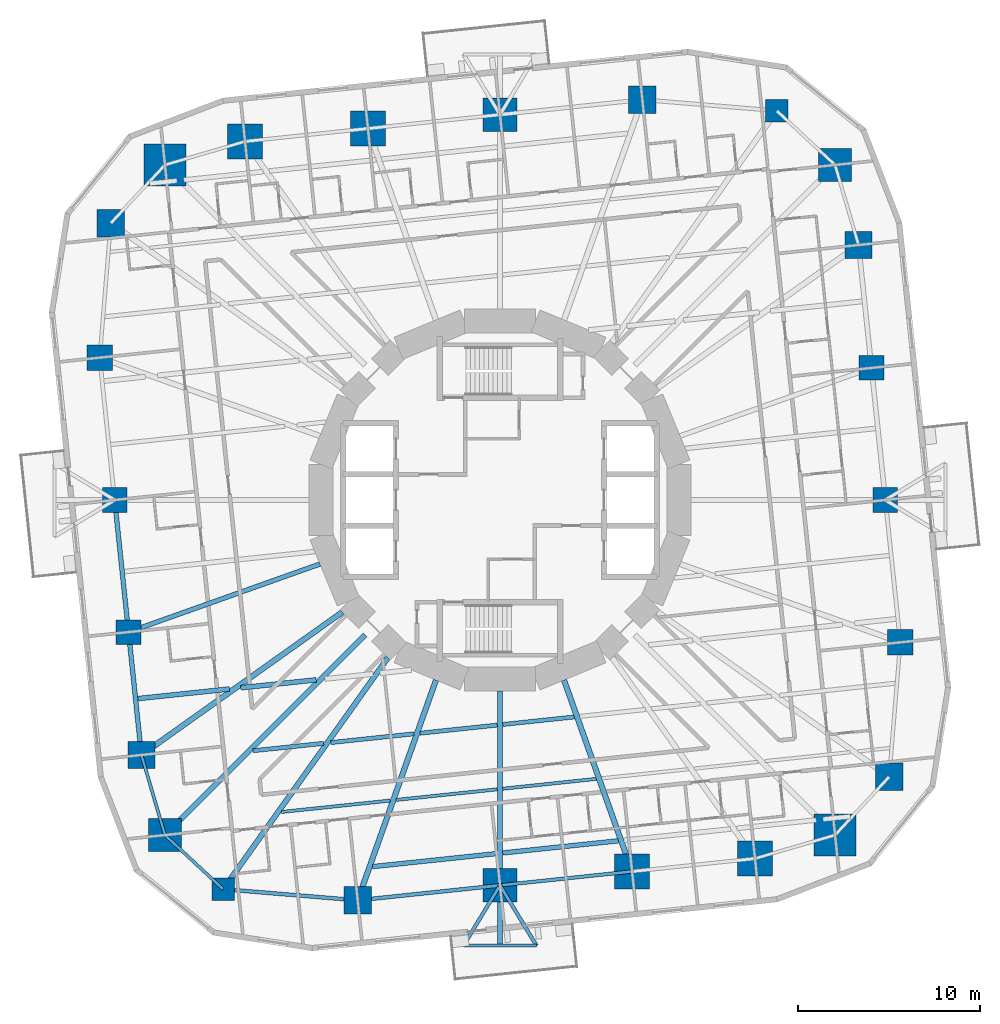
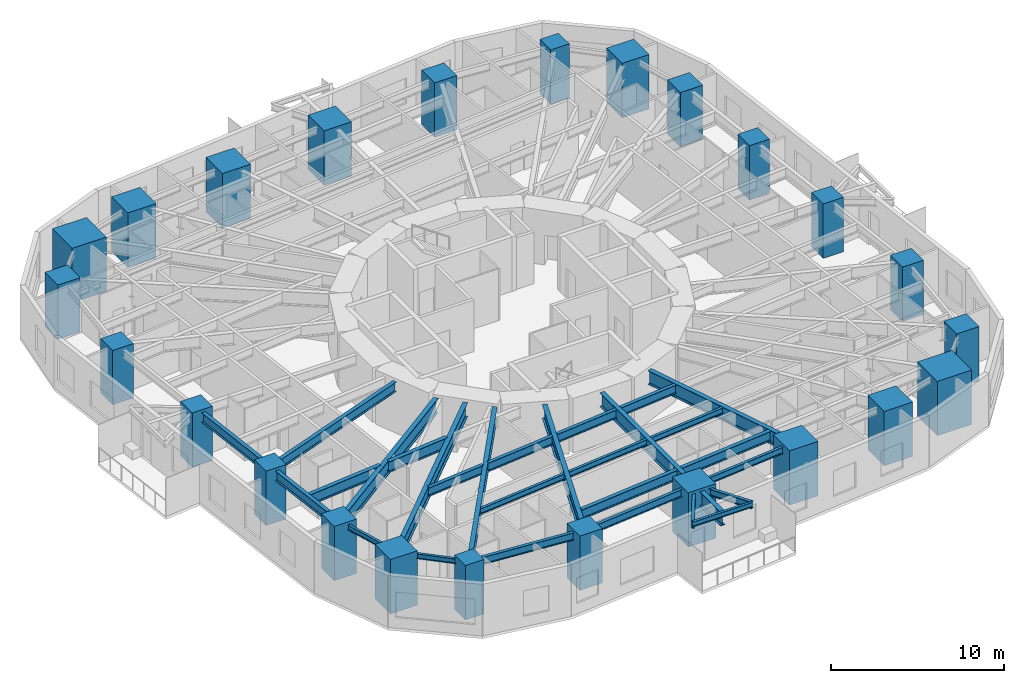
# One storey, part 1 of 13: 28 beams, 24 columns.
"""IFC4 building model written with IfcOpenShell, lengths in metres."""

from ifc_helpers import new_model, si_unit, direction, frame, origin, origin_2d, place, context, subcontext, project, spatial, rectangle, i_section, extrude, material, material_profile, profile_set, type_object, element, save


model = new_model("IFC4")

# Units and contexts
model_context = context("Model", 3, precision=1e-05, world=origin(), true_north=direction((0.0, 1.0)))
body_context = subcontext(model_context, "Body", "Model", "MODEL_VIEW")
ifc_project = project(units=[si_unit("LENGTHUNIT", "METRE"), si_unit("AREAUNIT", "SQUARE_METRE"), si_unit("VOLUMEUNIT", "CUBIC_METRE"), si_unit("PLANEANGLEUNIT", "RADIAN"), si_unit("MASSUNIT", "GRAM", prefix="KILO")], contexts=[model_context])

# Site, building, storey
site_placement = place(None, origin())
site = spatial("IfcSite", under=ifc_project, at=site_placement, CompositionType="ELEMENT")
building_placement = place(site_placement, origin())
building = spatial("IfcBuilding", under=site, at=building_placement, Name="Nakasero Lantern House", CompositionType="ELEMENT")
storey_placement = place(building_placement, frame((0.0, 0.0, 75.89990234375)))
storey = spatial("IfcBuildingStorey", under=building, at=storey_placement, Name="L18", CompositionType="ELEMENT", Elevation=75.89990234375)

# Columns
ifc_material_1 = material(Name="Concrete C50/60", Category="concrete")
ifc_material_profile_1 = material_profile(ifc_material_1, rectangle(XDim=1.800048828125, YDim=1.800048828125, at=origin_2d()), Name="RC 1800x1800")
ifc_profile_set_1 = profile_set([ifc_material_profile_1], Name="Concrete C50/60")
column_type_1 = type_object("IfcColumnType", Name="Mega column RC 1800x1800 C50/60", PredefinedType="COLUMN", material=ifc_profile_set_1)
for number, where, z_axis, x_axis, name in (
    (1, (18.359375, 18.359375, 0.0), (0.0, 0.0, 1.0), (1.0, 0.0, 0.0), "Column B2-C06 L18"),
    (2, (-18.359375, -18.359375, 0.0), (0.0, 0.0, 1.0), (1.0, 0.0, 0.0), "Column B2-C18 L18"),
):
    element("IfcColumn", number, at=place(storey_placement, frame(where, z_axis=z_axis, x_axis=x_axis)), inside=storey, type_object=column_type_1, Name=name, PredefinedType="COLUMN", context=body_context, shape_type="SweptSolid", body=[
        extrude(rectangle(XDim=1.800048828125, YDim=1.800048828125, at=origin_2d()), origin(), (0.0, 0.0, 1.0), 3.85009765625),
    ])
ifc_material_2 = material(Name="Concrete C50/60", Category="concrete")
ifc_material_profile_2 = material_profile(ifc_material_2, rectangle(XDim=2.300048828125, YDim=2.300048828125, at=origin_2d()), Name="RC 2300x2300")
ifc_profile_set_2 = profile_set([ifc_material_profile_2], Name="Concrete C50/60")
column_type_2 = type_object("IfcColumnType", Name="Mega column RC 2300x2300 C50/60", PredefinedType="COLUMN", material=ifc_profile_set_2)
for number, where, z_axis, x_axis, name in (
    (3, (-18.359375, 18.359375, 0.0), (0.0, 0.0, 1.0), (1.0, 0.0, 0.0), "Column B2-C12 L18"),
    (4, (18.359375, -18.359375, 0.0), (0.0, 0.0, 1.0), (1.0, 0.0, 0.0), "Column B2-C24 L18"),
):
    element("IfcColumn", number, at=place(storey_placement, frame(where, z_axis=z_axis, x_axis=x_axis)), inside=storey, type_object=column_type_2, Name=name, PredefinedType="COLUMN", context=body_context, shape_type="SweptSolid", body=[
        extrude(rectangle(XDim=2.300048828125, YDim=2.300048828125, at=origin_2d()), origin(), (0.0, 0.0, 1.0), 3.85009765625),
    ])
ifc_material_3 = material(Name="Concrete C50/60", Category="concrete")
ifc_material_profile_3 = material_profile(ifc_material_3, rectangle(XDim=1.25, YDim=1.25, at=origin_2d()), Name="RC 1250x1250")
ifc_profile_set_3 = profile_set([ifc_material_profile_3], Name="Concrete C50/60")
column_type_3 = type_object("IfcColumnType", Name="Ring column RC 1250x1250 C50/60", PredefinedType="COLUMN", material=ifc_profile_set_3)
for number, where, z_axis, x_axis, name in (
    (5, (15.16650390625, 21.327880859375, 0.0), (0.0, 0.0, 1.0), (1.0, 0.0, 0.0), "Column B2-C07 L18"),
    (6, (-15.16650390625, -21.327880859375, 0.0), (0.0, 0.0, 1.0), (1.0, 0.0, 0.0), "Column B2-C19 L18"),
):
    element("IfcColumn", number, at=place(storey_placement, frame(where, z_axis=z_axis, x_axis=x_axis)), inside=storey, type_object=column_type_3, Name=name, PredefinedType="COLUMN", context=body_context, shape_type="SweptSolid", body=[
        extrude(rectangle(XDim=1.25, YDim=1.25, at=origin_2d()), origin(), (0.0, 0.0, 1.0), 3.85009765625),
    ])
ifc_material_4 = material(Name="Concrete C50/60", Category="concrete")
ifc_material_profile_4 = material_profile(ifc_material_4, rectangle(XDim=1.35009765625, YDim=1.35009765625, at=origin_2d()), Name="RC 1350x1350")
ifc_profile_set_4 = profile_set([ifc_material_profile_4], Name="Concrete C50/60")
column_type_4 = type_object("IfcColumnType", Name="Ring column RC 1350x1350 C50/60", PredefinedType="COLUMN", material=ifc_profile_set_4)
for number, where, z_axis, x_axis, name in (
    (7, (21.11572265625, 0.0, 0.0), (0.0, 0.0, 1.0), (1.0, 0.0, 0.0), "Column B2-C03 L18"),
    (8, (20.35498046875, 7.2373046875, 0.0), (0.0, 0.0, 1.0), (1.0, 0.0, 0.0), "Column B2-C04 L18"),
    (9, (-21.11572265625, 0.0, 0.0), (0.0, 0.0, 1.0), (1.0, 0.0, 0.0), "Column B2-C15 L18"),
    (10, (-20.35498046875, -7.2373046875, 0.0), (0.0, 0.0, 1.0), (1.0, 0.0, 0.0), "Column B2-C16 L18"),
):
    element("IfcColumn", number, at=place(storey_placement, frame(where, z_axis=z_axis, x_axis=x_axis)), inside=storey, type_object=column_type_4, Name=name, PredefinedType="COLUMN", context=body_context, shape_type="SweptSolid", body=[
        extrude(rectangle(XDim=1.35009765625, YDim=1.35009765625, at=origin_2d()), origin(), (0.0, 0.0, 1.0), 3.85009765625),
    ])
ifc_material_5 = material(Name="Concrete C50/60", Category="concrete")
ifc_material_profile_5 = material_profile(ifc_material_5, rectangle(XDim=1.39990234375, YDim=1.39990234375, at=origin_2d()), Name="RC 1400x1400")
ifc_profile_set_5 = profile_set([ifc_material_profile_5], Name="Concrete C50/60")
column_type_5 = type_object("IfcColumnType", Name="Ring column RC 1400x1400 C50/60", PredefinedType="COLUMN", material=ifc_profile_set_5)
for number, where, z_axis, x_axis, name in (
    (11, (21.935302734375, -7.79931640625, 0.0), (0.0, 0.0, 1.0), (1.0, 0.0, 0.0), "Column B2-C02 L18"),
    (12, (-21.935302734375, 7.79931640625, 0.0), (0.0, 0.0, 1.0), (1.0, 0.0, 0.0), "Column B2-C14 L18"),
):
    element("IfcColumn", number, at=place(storey_placement, frame(where, z_axis=z_axis, x_axis=x_axis)), inside=storey, type_object=column_type_5, Name=name, PredefinedType="COLUMN", context=body_context, shape_type="SweptSolid", body=[
        extrude(rectangle(XDim=1.39990234375, YDim=1.39990234375, at=origin_2d()), origin(), (0.0, 0.0, 1.0), 3.85009765625),
    ])
ifc_material_6 = material(Name="Concrete C50/60", Category="concrete")
ifc_material_profile_6 = material_profile(ifc_material_6, rectangle(XDim=1.5, YDim=1.5, at=origin_2d()), Name="RC 1500x1500")
ifc_profile_set_6 = profile_set([ifc_material_profile_6], Name="Concrete C50/60")
column_type_6 = type_object("IfcColumnType", Name="Ring column RC 1500x1500 C50/60", PredefinedType="COLUMN", material=ifc_profile_set_6)
for number, where, z_axis, x_axis, name in (
    (13, (21.327880859375, -15.16650390625, 0.0), (0.0, 0.0, 1.0), (1.0, 0.0, 0.0), "Column B2-C01 L18"),
    (14, (19.647216796875, 13.971435546875, 0.0), (0.0, 0.0, 1.0), (1.0, 0.0, 0.0), "Column B2-C05 L18"),
    (15, (7.79931640625, 21.935302734375, 0.0), (0.0, 0.0, 1.0), (1.0, 0.0, 0.0), "Column B2-C08 L18"),
    (16, (-21.327880859375, 15.16650390625, 0.0), (0.0, 0.0, 1.0), (1.0, 0.0, 0.0), "Column B2-C13 L18"),
    (17, (-19.647216796875, -13.971435546875, 0.0), (0.0, 0.0, 1.0), (1.0, 0.0, 0.0), "Column B2-C17 L18"),
    (18, (-7.79931640625, -21.935302734375, 0.0), (0.0, 0.0, 1.0), (1.0, 0.0, 0.0), "Column B2-C20 L18"),
):
    element("IfcColumn", number, at=place(storey_placement, frame(where, z_axis=z_axis, x_axis=x_axis)), inside=storey, type_object=column_type_6, Name=name, PredefinedType="COLUMN", context=body_context, shape_type="SweptSolid", body=[
        extrude(rectangle(XDim=1.5, YDim=1.5, at=origin_2d()), origin(), (0.0, 0.0, 1.0), 3.85009765625),
    ])
ifc_material_7 = material(Name="Concrete C50/60", Category="concrete")
ifc_material_profile_7 = material_profile(ifc_material_7, rectangle(XDim=1.85009765625, YDim=1.85009765625, at=origin_2d()), Name="RC 1850x1850")
ifc_profile_set_7 = profile_set([ifc_material_profile_7], Name="Concrete C50/60")
column_type_7 = type_object("IfcColumnType", Name="Ring column RC 1850x1850 C50/60", PredefinedType="COLUMN", material=ifc_profile_set_7)
for number, where, z_axis, x_axis, name in (
    (19, (0.0, 21.11572265625, 0.0), (0.0, 0.0, 1.0), (1.0, 0.0, 0.0), "Column B2-C09 L18"),
    (20, (0.0, -21.11572265625, 0.0), (0.0, 0.0, 1.0), (1.0, 0.0, 0.0), "Column B2-C21 L18"),
):
    element("IfcColumn", number, at=place(storey_placement, frame(where, z_axis=z_axis, x_axis=x_axis)), inside=storey, type_object=column_type_7, Name=name, PredefinedType="COLUMN", context=body_context, shape_type="SweptSolid", body=[
        extrude(rectangle(XDim=1.85009765625, YDim=1.85009765625, at=origin_2d()), origin(), (0.0, 0.0, 1.0), 3.85009765625),
    ])
ifc_material_8 = material(Name="Concrete C50/60", Category="concrete")
ifc_material_profile_8 = material_profile(ifc_material_8, rectangle(XDim=1.89990234375, YDim=1.89990234375, at=origin_2d()), Name="RC 1900x1900")
ifc_profile_set_8 = profile_set([ifc_material_profile_8], Name="Concrete C50/60")
column_type_8 = type_object("IfcColumnType", Name="Ring column RC 1900x1900 C50/60", PredefinedType="COLUMN", material=ifc_profile_set_8)
for number, where, z_axis, x_axis, name in (
    (21, (-7.2373046875, 20.35498046875, 0.0), (0.0, 0.0, 1.0), (1.0, 0.0, 0.0), "Column B2-C10 L18"),
    (22, (-13.971435546875, 19.647216796875, 0.0), (0.0, 0.0, 1.0), (1.0, 0.0, 0.0), "Column B2-C11 L18"),
    (23, (7.2373046875, -20.35498046875, 0.0), (0.0, 0.0, 1.0), (1.0, 0.0, 0.0), "Column B2-C22 L18"),
    (24, (13.971435546875, -19.647216796875, 0.0), (0.0, 0.0, 1.0), (1.0, 0.0, 0.0), "Column B2-C23 L18"),
):
    element("IfcColumn", number, at=place(storey_placement, frame(where, z_axis=z_axis, x_axis=x_axis)), inside=storey, type_object=column_type_8, Name=name, PredefinedType="COLUMN", context=body_context, shape_type="SweptSolid", body=[
        extrude(rectangle(XDim=1.89990234375, YDim=1.89990234375, at=origin_2d()), origin(), (0.0, 0.0, 1.0), 3.85009765625),
    ])

# Beams
ifc_material_9 = material(Name="Steel S355", Category="steel")
ifc_material_profile_9 = material_profile(ifc_material_9, i_section(OverallWidth=0.199462890625, OverallDepth=0.491943359375, WebThickness=0.01806640625, FlangeThickness=0.031982421875, FilletRadius=0.01025390625, at=origin_2d()), Name="UB 457x191x161")
ifc_profile_set_9 = profile_set([ifc_material_profile_9], Name="Steel S355")
beam_type_1 = type_object("IfcBeamType", Name="Balcony splay beam UB 457x191x161", PredefinedType="BEAM", material=ifc_profile_set_9)
for number, where, z_axis, x_axis, name in (
    (25, (0.0, -21.11572265625, 3.404052734375), (0.518296107317, -0.855201230787, 0.0), (0.855201230787, 0.518296107317, 0.0), "Balcony splay beam L19 B2-C21A"),
    (26, (0.0, -21.11572265625, 3.404052734375), (-0.518296107317, -0.855201230787, 0.0), (0.855201230787, -0.518296107317, 0.0), "Balcony splay beam L19 B2-C21B"),
):
    element("IfcBeam", number, at=place(storey_placement, frame(where, z_axis=z_axis, x_axis=x_axis)), inside=storey, type_object=beam_type_1, Name=name, PredefinedType="BEAM", context=body_context, shape_type="SweptSolid", body=[
        extrude(i_section(OverallWidth=0.199462890625, OverallDepth=0.491943359375, WebThickness=0.01806640625, FlangeThickness=0.031982421875, FilletRadius=0.01025390625, at=origin_2d()), origin(), (0.0, 0.0, 1.0), 3.85888671875),
    ])
ifc_material_10 = material(Name="Steel S355", Category="steel")
ifc_material_profile_10 = material_profile(ifc_material_10, i_section(OverallWidth=0.17138671875, OverallDepth=0.35498046875, WebThickness=0.00732421875, FlangeThickness=0.011474609375, FilletRadius=0.01025390625, at=origin_2d()), Name="UB 356x171x51")
ifc_profile_set_10 = profile_set([ifc_material_profile_10], Name="Steel S355")
beam_type_2 = type_object("IfcBeamType", Name="Balcony tie beam UB 356x171x51", PredefinedType="BEAM", material=ifc_profile_set_10)
beam_1_placement = place(storey_placement, frame((2.0, -24.415771484375, 3.47265625), z_axis=(-1.0, 0.0, 0.0), x_axis=(0.0, -1.0, 0.0)))
element("IfcBeam", 27, at=beam_1_placement, inside=storey, type_object=beam_type_2, Name="Balcony tie beam L19 B2-C21", PredefinedType="BEAM", context=body_context, shape_type="SweptSolid", body=[
    extrude(i_section(OverallWidth=0.17138671875, OverallDepth=0.35498046875, WebThickness=0.00732421875, FlangeThickness=0.011474609375, FilletRadius=0.01025390625, at=origin_2d()), origin(), (0.0, 0.0, 1.0), 4.0),
])
ifc_material_11 = material(Name="Steel S355", Category="steel")
ifc_material_profile_11 = material_profile(ifc_material_11, i_section(OverallWidth=0.177978515625, OverallDepth=0.406494140625, WebThickness=0.0078125, FlangeThickness=0.0126953125, FilletRadius=0.01025390625, at=origin_2d()), Name="UB 406x178x60")
ifc_profile_set_11 = profile_set([ifc_material_profile_11], Name="Steel S355")
beam_type_3 = type_object("IfcBeamType", Name="Infill beam UB 406x178x60", PredefinedType="JOIST", material=ifc_profile_set_11)
beam_2_placement = place(storey_placement, frame((-11.9775390625, -17.095703125, 3.44677734375), z_axis=(0.994521729164, 0.104530044579, 0.0), x_axis=(-0.104530044579, 0.994521729164, 0.0)))
element("IfcBeam", 28, at=beam_2_placement, inside=storey, type_object=beam_type_3, Name="Infill beam L19 03.1", PredefinedType="JOIST", context=body_context, shape_type="SweptSolid", body=[
    extrude(i_section(OverallWidth=0.177978515625, OverallDepth=0.406494140625, WebThickness=0.0078125, FlangeThickness=0.0126953125, FilletRadius=0.01025390625, at=origin_2d()), origin(), (0.0, 0.0, 1.0), 5.99560546875),
])
beam_3_placement = place(storey_placement, frame((-5.68408203125, -16.43408203125, 3.44677734375), z_axis=(0.994524188375, 0.104506644464, 0.0), x_axis=(-0.104506644464, 0.994524188375, 0.0)))
element("IfcBeam", 29, at=beam_3_placement, inside=storey, type_object=beam_type_3, Name="Infill beam L19 03.2", PredefinedType="JOIST", context=body_context, shape_type="SweptSolid", body=[
    extrude(i_section(OverallWidth=0.177978515625, OverallDepth=0.406494140625, WebThickness=0.0078125, FlangeThickness=0.0126953125, FilletRadius=0.01025390625, at=origin_2d()), origin(), (0.0, 0.0, 1.0), 5.564697265625),
])
beam_4_placement = place(storey_placement, frame((0.14990234375, -15.821044921875, 3.44677734375), z_axis=(0.994522574566, 0.104522000929, 0.0), x_axis=(-0.104522000929, 0.994522574566, 0.0)))
element("IfcBeam", 30, at=beam_4_placement, inside=storey, type_object=beam_type_3, Name="Infill beam L19 03.3", PredefinedType="JOIST", context=body_context, shape_type="SweptSolid", body=[
    extrude(i_section(OverallWidth=0.177978515625, OverallDepth=0.406494140625, WebThickness=0.0078125, FlangeThickness=0.0126953125, FilletRadius=0.01025390625, at=origin_2d()), origin(), (0.0, 0.0, 1.0), 5.15283203125),
])
ifc_material_12 = material(Name="Steel S355", Category="steel")
ifc_material_profile_12 = material_profile(ifc_material_12, i_section(OverallWidth=0.22900390625, OverallDepth=0.6123046875, WebThickness=0.011962890625, FlangeThickness=0.01953125, FilletRadius=0.0126953125, at=origin_2d()), Name="UB 610x229x125")
ifc_profile_set_12 = profile_set([ifc_material_profile_12], Name="Steel S355")
beam_type_4 = type_object("IfcBeamType", Name="Infill beam UB 610x229x125", PredefinedType="JOIST", material=ifc_profile_set_12)
beam_5_placement = place(storey_placement, frame((-13.527099609375, -13.7392578125, 3.343994140625), z_axis=(0.99451886442, 0.10455729679, 0.0), x_axis=(-0.10455729679, 0.99451886442, 0.0)))
element("IfcBeam", 31, at=beam_5_placement, inside=storey, type_object=beam_type_4, Name="Infill beam L19 04.1", PredefinedType="JOIST", context=body_context, shape_type="SweptSolid", body=[
    extrude(i_section(OverallWidth=0.22900390625, OverallDepth=0.6123046875, WebThickness=0.011962890625, FlangeThickness=0.01953125, FilletRadius=0.0126953125, at=origin_2d()), origin(), (0.0, 0.0, 1.0), 3.8876953125),
])
beam_6_placement = place(storey_placement, frame((-9.272705078125, -13.2919921875, 3.343994140625), z_axis=(0.994522952874, 0.104518401282, 0.0), x_axis=(-0.104518401282, 0.994522952874, 0.0)))
element("IfcBeam", 32, at=beam_6_placement, inside=storey, type_object=beam_type_4, Name="Infill beam L19 04.2", PredefinedType="JOIST", context=body_context, shape_type="SweptSolid", body=[
    extrude(i_section(OverallWidth=0.22900390625, OverallDepth=0.6123046875, WebThickness=0.011962890625, FlangeThickness=0.01953125, FilletRadius=0.0126953125, at=origin_2d()), origin(), (0.0, 0.0, 1.0), 4.5830078125),
])
beam_7_placement = place(storey_placement, frame((-4.38427734375, -12.7783203125, 3.343994140625), z_axis=(0.994521465317, 0.104532554847, 0.0), x_axis=(-0.104532554847, 0.994521465317, 0.0)))
element("IfcBeam", 33, at=beam_7_placement, inside=storey, type_object=beam_type_4, Name="Infill beam L19 04.3", PredefinedType="JOIST", context=body_context, shape_type="SweptSolid", body=[
    extrude(i_section(OverallWidth=0.22900390625, OverallDepth=0.6123046875, WebThickness=0.011962890625, FlangeThickness=0.01953125, FilletRadius=0.0126953125, at=origin_2d()), origin(), (0.0, 0.0, 1.0), 4.2578125),
])
beam_8_placement = place(storey_placement, frame((0.14990234375, -12.3017578125, 3.343994140625), z_axis=(0.994521399206, 0.104533183829, 0.0), x_axis=(-0.104533183829, 0.994521399206, 0.0)))
element("IfcBeam", 34, at=beam_8_placement, inside=storey, type_object=beam_type_4, Name="Infill beam L19 04.4", PredefinedType="JOIST", context=body_context, shape_type="SweptSolid", body=[
    extrude(i_section(OverallWidth=0.22900390625, OverallDepth=0.6123046875, WebThickness=0.011962890625, FlangeThickness=0.01953125, FilletRadius=0.0126953125, at=origin_2d()), origin(), (0.0, 0.0, 1.0), 3.93994140625),
])
ifc_material_13 = material(Name="Steel S355", Category="steel")
ifc_material_profile_13 = material_profile(ifc_material_13, i_section(OverallWidth=0.255859375, OverallDepth=0.69287109375, WebThickness=0.014404296875, FlangeThickness=0.023681640625, FilletRadius=0.01513671875, at=origin_2d()), Name="UB 686x254x170")
ifc_profile_set_13 = profile_set([ifc_material_profile_13], Name="Steel S355")
beam_type_5 = type_object("IfcBeamType", Name="Infill beam UB 686x254x170", PredefinedType="JOIST", material=ifc_profile_set_13)
beam_9_placement = place(storey_placement, frame((-6.98388671875, -20.090087890625, 3.3037109375), z_axis=(0.994522182542, 0.10452573096, 0.0), x_axis=(-0.10452573096, 0.994522182542, 0.0)))
element("IfcBeam", 35, at=beam_9_placement, inside=storey, type_object=beam_type_5, Name="Infill beam L19 02.1", PredefinedType="JOIST", context=body_context, shape_type="SweptSolid", body=[
    extrude(i_section(OverallWidth=0.255859375, OverallDepth=0.69287109375, WebThickness=0.014404296875, FlangeThickness=0.023681640625, FilletRadius=0.01513671875, at=origin_2d()), origin(), (0.0, 0.0, 1.0), 6.87158203125),
])
beam_10_placement = place(storey_placement, frame((0.14990234375, -19.34033203125, 3.3037109375), z_axis=(0.994519733917, 0.104549026056, 0.0), x_axis=(-0.104549026056, 0.994519733917, 0.0)))
element("IfcBeam", 36, at=beam_10_placement, inside=storey, type_object=beam_type_5, Name="Infill beam L19 02.2", PredefinedType="JOIST", context=body_context, shape_type="SweptSolid", body=[
    extrude(i_section(OverallWidth=0.255859375, OverallDepth=0.69287109375, WebThickness=0.014404296875, FlangeThickness=0.023681640625, FilletRadius=0.01513671875, at=origin_2d()), origin(), (0.0, 0.0, 1.0), 6.36572265625),
])
ifc_material_14 = material(Name="Steel S355", Category="steel")
ifc_material_profile_14 = material_profile(ifc_material_14, i_section(OverallWidth=0.2666015625, OverallDepth=0.76220703125, WebThickness=0.014404296875, FlangeThickness=0.021484375, FilletRadius=0.0166015625, at=origin_2d()), Name="UB 762x267x173")
ifc_profile_set_14 = profile_set([ifc_material_profile_14], Name="Steel S355")
beam_type_6 = type_object("IfcBeamType", Name="Infill beam UB 762x267x173", PredefinedType="JOIST", material=ifc_profile_set_14)
beam_11_placement = place(storey_placement, frame((-19.843017578125, -10.8837890625, 3.26904296875), z_axis=(0.994520551882, 0.104541244898, 0.0), x_axis=(-0.104541244898, 0.994520551882, 0.0)))
element("IfcBeam", 37, at=beam_11_placement, inside=storey, type_object=beam_type_6, Name="Infill beam L19 05.1", PredefinedType="JOIST", context=body_context, shape_type="SweptSolid", body=[
    extrude(i_section(OverallWidth=0.2666015625, OverallDepth=0.76220703125, WebThickness=0.014404296875, FlangeThickness=0.021484375, FilletRadius=0.0166015625, at=origin_2d()), origin(), (0.0, 0.0, 1.0), 5.046630859375),
])
beam_12_placement = place(storey_placement, frame((-14.212646484375, -10.2919921875, 3.26904296875), z_axis=(0.994522134672, 0.104526186418, 0.0), x_axis=(-0.104526186418, 0.994522134672, 0.0)))
element("IfcBeam", 38, at=beam_12_placement, inside=storey, type_object=beam_type_6, Name="Infill beam L19 05.2", PredefinedType="JOIST", context=body_context, shape_type="SweptSolid", body=[
    extrude(i_section(OverallWidth=0.2666015625, OverallDepth=0.76220703125, WebThickness=0.014404296875, FlangeThickness=0.021484375, FilletRadius=0.0166015625, at=origin_2d()), origin(), (0.0, 0.0, 1.0), 4.166748046875),
])
ifc_material_15 = material(Name="Steel S355", Category="steel")
ifc_material_profile_15 = material_profile(ifc_material_15, i_section(OverallWidth=0.300048828125, OverallDepth=0.97998046875, WebThickness=0.0166015625, FlangeThickness=0.02587890625, FilletRadius=0.030029296875, at=origin_2d()), Name="UB 1016x305x249")
ifc_profile_set_15 = profile_set([ifc_material_profile_15], Name="Steel S355")
beam_type_7 = type_object("IfcBeamType", Name="Primary beam UB 1016x305x249, span 12 to 15 m", PredefinedType="BEAM", material=ifc_profile_set_15)
beam_13_placement = place(storey_placement, frame((-7.79931640625, -21.935302734375, 3.16015625), z_axis=(0.335017564047, 0.942211882636, 0.0), x_axis=(-0.942211882636, 0.335017564047, 0.0)))
element("IfcBeam", 39, at=beam_13_placement, inside=storey, type_object=beam_type_7, Name="Primary beam L19 B2-C20", PredefinedType="BEAM", context=body_context, shape_type="SweptSolid", body=[
    extrude(i_section(OverallWidth=0.300048828125, OverallDepth=0.97998046875, WebThickness=0.0166015625, FlangeThickness=0.02587890625, FilletRadius=0.030029296875, at=origin_2d()), origin(), (0.0, 0.0, 1.0), 12.80908203125),
])
ifc_material_16 = material(Name="Steel S355", Category="steel")
ifc_material_profile_16 = material_profile(ifc_material_16, i_section(OverallWidth=0.300048828125, OverallDepth=0.97998046875, WebThickness=0.0166015625, FlangeThickness=0.02587890625, FilletRadius=0.030029296875, at=origin_2d()), Name="UB 1016x305x249")
ifc_profile_set_16 = profile_set([ifc_material_profile_16], Name="Steel S355")
beam_type_8 = type_object("IfcBeamType", Name="Primary beam UB 1016x305x249, span 9 to 12 m", PredefinedType="BEAM", material=ifc_profile_set_16)
beam_14_placement = place(storey_placement, frame((7.2373046875, -20.35498046875, 3.16015625), z_axis=(-0.335009234979, 0.942214844119, 0.0), x_axis=(-0.942214844119, -0.335009234979, 0.0)))
element("IfcBeam", 40, at=beam_14_placement, inside=storey, type_object=beam_type_8, Name="Primary beam L19 B2-C22", PredefinedType="BEAM", context=body_context, shape_type="SweptSolid", body=[
    extrude(i_section(OverallWidth=0.300048828125, OverallDepth=0.97998046875, WebThickness=0.0166015625, FlangeThickness=0.02587890625, FilletRadius=0.030029296875, at=origin_2d()), origin(), (0.0, 0.0, 1.0), 11.1318359375),
])
ifc_material_17 = material(Name="Steel S355", Category="steel")
ifc_material_profile_17 = material_profile(ifc_material_17, i_section(OverallWidth=0.300048828125, OverallDepth=0.989990234375, WebThickness=0.0166015625, FlangeThickness=0.031005859375, FilletRadius=0.030029296875, at=origin_2d()), Name="UB 1016x305x272")
ifc_profile_set_17 = profile_set([ifc_material_profile_17], Name="Steel S355")
beam_type_9 = type_object("IfcBeamType", Name="Primary beam UB 1016x305x272, span over 15 m", PredefinedType="BEAM", material=ifc_profile_set_17)
beam_15_placement = place(storey_placement, frame((-18.359375, -18.359375, 3.155029296875), z_axis=(0.707106781187, 0.707106781187, 0.0), x_axis=(-0.707106781187, 0.707106781187, 0.0)))
element("IfcBeam", 41, at=beam_15_placement, inside=storey, type_object=beam_type_9, Name="Primary beam L19 B2-C18", PredefinedType="BEAM", context=body_context, shape_type="SweptSolid", body=[
    extrude(i_section(OverallWidth=0.300048828125, OverallDepth=0.989990234375, WebThickness=0.0166015625, FlangeThickness=0.031005859375, FilletRadius=0.030029296875, at=origin_2d()), origin(), (0.0, 0.0, 1.0), 15.50634765625),
])
ifc_material_18 = material(Name="Steel S355", Category="steel")
ifc_material_profile_18 = material_profile(ifc_material_18, i_section(OverallWidth=0.300048828125, OverallDepth=1.0, WebThickness=0.01904296875, FlangeThickness=0.035888671875, FilletRadius=0.030029296875, at=origin_2d()), Name="UB 1016x305x314")
ifc_profile_set_18 = profile_set([ifc_material_profile_18], Name="Steel S355")
beam_type_10 = type_object("IfcBeamType", Name="Primary beam UB 1016x305x314, span 9 to 12 m", PredefinedType="BEAM", material=ifc_profile_set_18)
beam_16_placement = place(storey_placement, frame((0.0, -24.415771484375, 3.150146484375), z_axis=(0.0, 1.0, 0.0), x_axis=(-1.0, 0.0, 0.0)))
element("IfcBeam", 42, at=beam_16_placement, inside=storey, type_object=beam_type_10, Name="Primary beam L19 B2-C21", PredefinedType="BEAM", context=body_context, shape_type="SweptSolid", body=[
    extrude(i_section(OverallWidth=0.300048828125, OverallDepth=1.0, WebThickness=0.01904296875, FlangeThickness=0.035888671875, FilletRadius=0.030029296875, at=origin_2d()), origin(), (0.0, 0.0, 1.0), 13.9580078125),
])
ifc_material_19 = material(Name="Steel S355", Category="steel")
ifc_material_profile_19 = material_profile(ifc_material_19, i_section(OverallWidth=0.302001953125, OverallDepth=1.008056640625, WebThickness=0.02099609375, FlangeThickness=0.0400390625, FilletRadius=0.030029296875, at=origin_2d()), Name="UB 1016x305x349")
ifc_profile_set_19 = profile_set([ifc_material_profile_19], Name="Steel S355")
beam_type_11 = type_object("IfcBeamType", Name="Primary beam UB 1016x305x349, span 12 to 15 m", PredefinedType="BEAM", material=ifc_profile_set_19)
beam_17_placement = place(storey_placement, frame((-19.647216796875, -13.971435546875, 3.14599609375), z_axis=(0.814948492976, 0.579533393168, 0.0), x_axis=(-0.579533393168, 0.814948492976, 0.0)))
element("IfcBeam", 43, at=beam_17_placement, inside=storey, type_object=beam_type_11, Name="Primary beam L19 B2-C17", PredefinedType="BEAM", context=body_context, shape_type="SweptSolid", body=[
    extrude(i_section(OverallWidth=0.302001953125, OverallDepth=1.008056640625, WebThickness=0.02099609375, FlangeThickness=0.0400390625, FilletRadius=0.030029296875, at=origin_2d()), origin(), (0.0, 0.0, 1.0), 13.502685546875),
])
ifc_material_20 = material(Name="Steel S355", Category="steel")
ifc_material_profile_20 = material_profile(ifc_material_20, i_section(OverallWidth=0.253662109375, OverallDepth=0.68359375, WebThickness=0.012451171875, FlangeThickness=0.01904296875, FilletRadius=0.01513671875, at=origin_2d()), Name="UB 686x254x140")
ifc_profile_set_20 = profile_set([ifc_material_profile_20], Name="Steel S355")
beam_type_12 = type_object("IfcBeamType", Name="Primary beam UB 686x254x140, span 9 to 12 m", PredefinedType="BEAM", material=ifc_profile_set_20)
beam_18_placement = place(storey_placement, frame((-20.35498046875, -7.2373046875, 3.308349609375), z_axis=(0.942214844119, 0.335009234979, 0.0), x_axis=(-0.335009234979, 0.942214844119, 0.0)))
element("IfcBeam", 44, at=beam_18_placement, inside=storey, type_object=beam_type_12, Name="Primary beam L19 B2-C16", PredefinedType="BEAM", context=body_context, shape_type="SweptSolid", body=[
    extrude(i_section(OverallWidth=0.253662109375, OverallDepth=0.68359375, WebThickness=0.012451171875, FlangeThickness=0.01904296875, FilletRadius=0.01513671875, at=origin_2d()), origin(), (0.0, 0.0, 1.0), 11.1318359375),
])
ifc_material_21 = material(Name="Steel S355", Category="steel")
ifc_material_profile_21 = material_profile(ifc_material_21, i_section(OverallWidth=0.29248046875, OverallDepth=0.8408203125, WebThickness=0.0146484375, FlangeThickness=0.02685546875, FilletRadius=0.017822265625, at=origin_2d()), Name="UB 838x292x194")
ifc_profile_set_21 = profile_set([ifc_material_profile_21], Name="Steel S355")
beam_type_13 = type_object("IfcBeamType", Name="Primary beam UB 838x292x194, span over 15 m", PredefinedType="BEAM", material=ifc_profile_set_21)
beam_19_placement = place(storey_placement, frame((-15.16650390625, -21.327880859375, 3.229736328125), z_axis=(0.57952911085, 0.814951538239, 0.0), x_axis=(-0.814951538239, 0.57952911085, 0.0)))
element("IfcBeam", 45, at=beam_19_placement, inside=storey, type_object=beam_type_13, Name="Primary beam L19 B2-C19", PredefinedType="BEAM", context=body_context, shape_type="SweptSolid", body=[
    extrude(i_section(OverallWidth=0.29248046875, OverallDepth=0.8408203125, WebThickness=0.0146484375, FlangeThickness=0.02685546875, FilletRadius=0.017822265625, at=origin_2d()), origin(), (0.0, 0.0, 1.0), 15.564697265625),
])
ifc_material_22 = material(Name="Steel S355", Category="steel")
ifc_material_profile_22 = material_profile(ifc_material_22, i_section(OverallWidth=0.17138671875, OverallDepth=0.35498046875, WebThickness=0.00732421875, FlangeThickness=0.011474609375, FilletRadius=0.01025390625, at=origin_2d()), Name="UB 356x171x51")
ifc_profile_set_22 = profile_set([ifc_material_profile_22], Name="Steel S355")
beam_type_14 = type_object("IfcBeamType", Name="Ring beam UB 356x171x51", PredefinedType="BEAM", material=ifc_profile_set_22)
beam_20_placement = place(storey_placement, frame((-19.647216796875, -13.971435546875, 3.47265625), z_axis=(0.28161710443, -0.959526865957, 0.0), x_axis=(0.959526865957, 0.28161710443, 0.0)))
element("IfcBeam", 46, at=beam_20_placement, inside=storey, type_object=beam_type_14, Name="Ring beam L19 B2-C17", PredefinedType="BEAM", context=body_context, shape_type="SweptSolid", body=[
    extrude(i_section(OverallWidth=0.17138671875, OverallDepth=0.35498046875, WebThickness=0.00732421875, FlangeThickness=0.011474609375, FilletRadius=0.01025390625, at=origin_2d()), origin(), (0.0, 0.0, 1.0), 4.572998046875),
])
beam_21_placement = place(storey_placement, frame((-18.359375, -18.359375, 3.47265625), z_axis=(0.732370510336, -0.680906333933, 0.0), x_axis=(0.680906333933, 0.732370510336, 0.0)))
element("IfcBeam", 47, at=beam_21_placement, inside=storey, type_object=beam_type_14, Name="Ring beam L19 B2-C18", PredefinedType="BEAM", context=body_context, shape_type="SweptSolid", body=[
    extrude(i_section(OverallWidth=0.17138671875, OverallDepth=0.35498046875, WebThickness=0.00732421875, FlangeThickness=0.011474609375, FilletRadius=0.01025390625, at=origin_2d()), origin(), (0.0, 0.0, 1.0), 4.359619140625),
])
ifc_material_23 = material(Name="Steel S355", Category="steel")
ifc_material_profile_23 = material_profile(ifc_material_23, i_section(OverallWidth=0.19140625, OverallDepth=0.4599609375, WebThickness=0.010009765625, FlangeThickness=0.01611328125, FilletRadius=0.01025390625, at=origin_2d()), Name="UB 457x191x82")
ifc_profile_set_23 = profile_set([ifc_material_profile_23], Name="Steel S355")
beam_type_15 = type_object("IfcBeamType", Name="Ring beam UB 457x191x82", PredefinedType="BEAM", material=ifc_profile_set_23)
beam_22_placement = place(storey_placement, frame((0.0, -21.11572265625, 3.420166015625), z_axis=(0.994520883746, 0.104538087767, 0.0), x_axis=(-0.104538087767, 0.994520883746, 0.0)))
element("IfcBeam", 48, at=beam_22_placement, inside=storey, type_object=beam_type_15, Name="Ring beam L19 B2-C21", PredefinedType="BEAM", context=body_context, shape_type="SweptSolid", body=[
    extrude(i_section(OverallWidth=0.19140625, OverallDepth=0.4599609375, WebThickness=0.010009765625, FlangeThickness=0.01611328125, FilletRadius=0.01025390625, at=origin_2d()), origin(), (0.0, 0.0, 1.0), 7.277099609375),
])
ifc_material_24 = material(Name="Steel S355", Category="steel")
ifc_material_profile_24 = material_profile(ifc_material_24, i_section(OverallWidth=0.208740234375, OverallDepth=0.5283203125, WebThickness=0.009521484375, FlangeThickness=0.01318359375, FilletRadius=0.0126953125, at=origin_2d()), Name="UB 533x210x82")
ifc_profile_set_24 = profile_set([ifc_material_profile_24], Name="Steel S355")
beam_type_16 = type_object("IfcBeamType", Name="Ring beam UB 533x210x82", PredefinedType="BEAM", material=ifc_profile_set_24)
beam_23_placement = place(storey_placement, frame((-15.16650390625, -21.327880859375, 3.385986328125), z_axis=(0.996618261264, -0.08217080574, 0.0), x_axis=(0.08217080574, 0.996618261264, 0.0)))
element("IfcBeam", 49, at=beam_23_placement, inside=storey, type_object=beam_type_16, Name="Ring beam L19 B2-C19", PredefinedType="BEAM", context=body_context, shape_type="SweptSolid", body=[
    extrude(i_section(OverallWidth=0.208740234375, OverallDepth=0.5283203125, WebThickness=0.009521484375, FlangeThickness=0.01318359375, FilletRadius=0.0126953125, at=origin_2d()), origin(), (0.0, 0.0, 1.0), 7.39208984375),
])
beam_24_placement = place(storey_placement, frame((-7.79931640625, -21.935302734375, 3.385986328125), z_axis=(0.994524030789, 0.104508144098, 0.0), x_axis=(-0.104508144098, 0.994524030789, 0.0)))
element("IfcBeam", 50, at=beam_24_placement, inside=storey, type_object=beam_type_16, Name="Ring beam L19 B2-C20", PredefinedType="BEAM", context=body_context, shape_type="SweptSolid", body=[
    extrude(i_section(OverallWidth=0.208740234375, OverallDepth=0.5283203125, WebThickness=0.009521484375, FlangeThickness=0.01318359375, FilletRadius=0.0126953125, at=origin_2d()), origin(), (0.0, 0.0, 1.0), 7.84228515625),
])
ifc_material_25 = material(Name="Steel S355", Category="steel")
ifc_material_profile_25 = material_profile(ifc_material_25, i_section(OverallWidth=0.253662109375, OverallDepth=0.68359375, WebThickness=0.012451171875, FlangeThickness=0.01904296875, FilletRadius=0.01513671875, at=origin_2d()), Name="UB 686x254x140")
ifc_profile_set_25 = profile_set([ifc_material_profile_25], Name="Steel S355")
beam_type_17 = type_object("IfcBeamType", Name="Ring beam UB 686x254x140", PredefinedType="BEAM", material=ifc_profile_set_25)
beam_25_placement = place(storey_placement, frame((-21.11572265625, 0.0, 3.308349609375), z_axis=(0.104538087767, -0.994520883746, 0.0), x_axis=(0.994520883746, 0.104538087767, 0.0)))
element("IfcBeam", 51, at=beam_25_placement, inside=storey, type_object=beam_type_17, Name="Ring beam L19 B2-C15", PredefinedType="BEAM", context=body_context, shape_type="SweptSolid", body=[
    extrude(i_section(OverallWidth=0.253662109375, OverallDepth=0.68359375, WebThickness=0.012451171875, FlangeThickness=0.01904296875, FilletRadius=0.01513671875, at=origin_2d()), origin(), (0.0, 0.0, 1.0), 7.277099609375),
])
ifc_material_26 = material(Name="Steel S355", Category="steel")
ifc_material_profile_26 = material_profile(ifc_material_26, i_section(OverallWidth=0.255859375, OverallDepth=0.69287109375, WebThickness=0.014404296875, FlangeThickness=0.023681640625, FilletRadius=0.01513671875, at=origin_2d()), Name="UB 686x254x170")
ifc_profile_set_26 = profile_set([ifc_material_profile_26], Name="Steel S355")
beam_type_18 = type_object("IfcBeamType", Name="Ring beam UB 686x254x170", PredefinedType="BEAM", material=ifc_profile_set_26)
beam_26_placement = place(storey_placement, frame((-20.35498046875, -7.2373046875, 3.3037109375), z_axis=(0.10452524939, -0.994522233155, 0.0), x_axis=(0.994522233155, 0.10452524939, 0.0)))
element("IfcBeam", 52, at=beam_26_placement, inside=storey, type_object=beam_type_18, Name="Ring beam L19 B2-C16", PredefinedType="BEAM", context=body_context, shape_type="SweptSolid", body=[
    extrude(i_section(OverallWidth=0.255859375, OverallDepth=0.69287109375, WebThickness=0.014404296875, FlangeThickness=0.023681640625, FilletRadius=0.01513671875, at=origin_2d()), origin(), (0.0, 0.0, 1.0), 6.771240234375),
])

save(model, "model.ifc")
